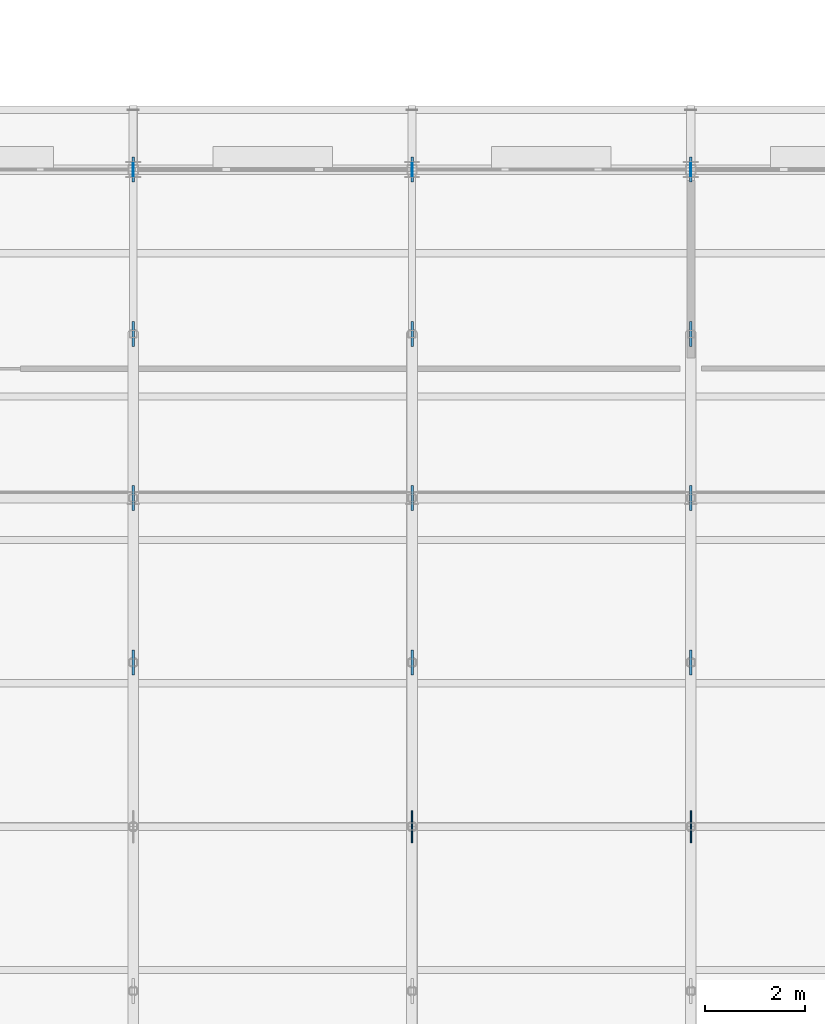
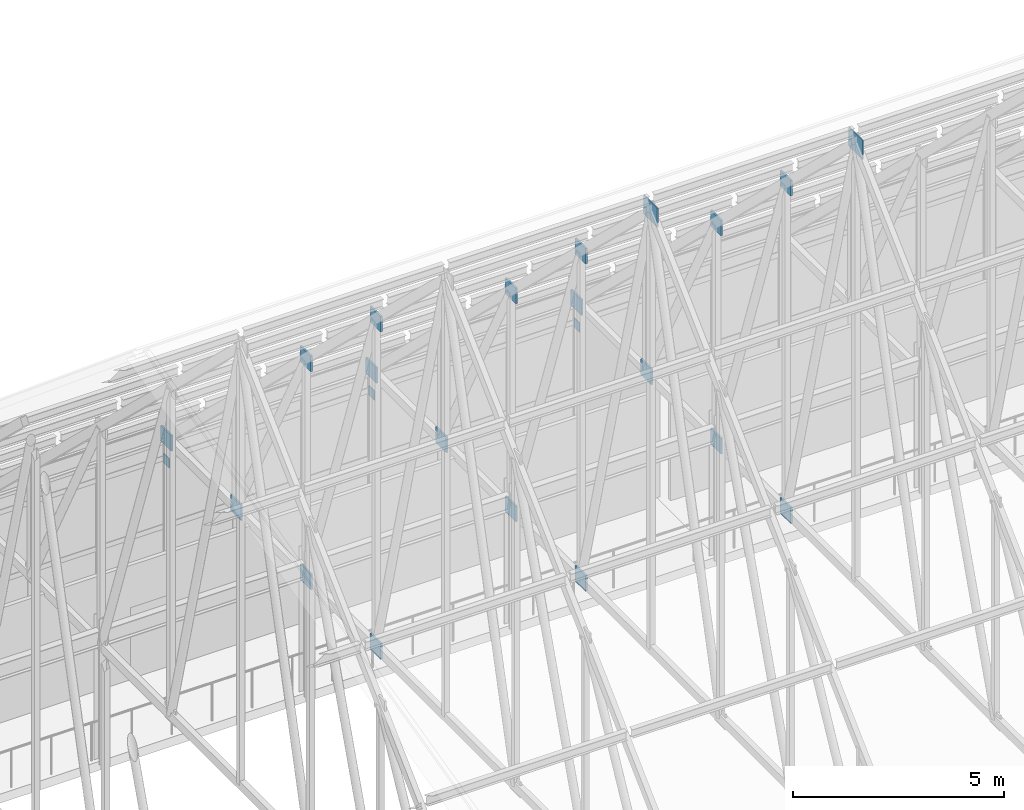
# One storey, part 106 of 144: 23 plates.
"""IFC4 building model written with IfcOpenShell, lengths in metres."""

import ifcopenshell
import ifcopenshell.guid

model = None  # the IFC model being written
_history = None  # IfcOwnerHistory: only IFC2X3 demands one
_inside = {}  # id of a spatial element -> (the spatial element, [elements in it])
_under = {}  # id of a project, library or spatial element -> (it, [spatial elements below it])
_declared = {}  # id of a project -> (the project, [libraries it declares])
_typed = {}  # id of a type object -> (the type object, [elements of that type])
_made_of = {}  # id of a material, layer set ... -> (it, [elements and type objects made of it])


def new_model(schema):
    """Start an empty IFC model of exactly this schema.

    Asked for "IFC4X3", IfcOpenShell would pick the latest addendum, in which some entities
    have other attributes; the version numbers below select the first issue.
    IFC2X3 requires an IfcOwnerHistory on every rooted entity: one is made here for all.
    """
    global model, _history
    if schema == "IFC4X3":
        model = ifcopenshell.file(schema_version=(4, 3, 0, 0))
    else:
        model = ifcopenshell.file(schema=schema)
    _inside.clear()
    _under.clear()
    _declared.clear()
    _typed.clear()
    _made_of.clear()
    _history = None
    if model.schema == "IFC2X3":
        org = make("IfcOrganization", Name="unknown")
        user = make(
            "IfcPersonAndOrganization",
            ThePerson=make("IfcPerson", FamilyName="unknown"),
            TheOrganization=org,
        )
        app = make(
            "IfcApplication",
            ApplicationDeveloper=org,
            Version="unknown",
            ApplicationFullName="unknown",
            ApplicationIdentifier="unknown",
        )
        _history = make(
            "IfcOwnerHistory",
            OwningUser=user,
            OwningApplication=app,
            ChangeAction="ADDED",
            CreationDate=0,
        )
    return model


def make(cls, **values):
    """One entity of the class cls with the attributes given. An attribute that is None is left unset."""
    return model.create_entity(
        cls, **{name: value for name, value in values.items() if value is not None}
    )


def rooted(cls, **values):
    """An entity with a GlobalId (a new one), such as an element, a storey or a relation."""
    return make(cls, GlobalId=ifcopenshell.guid.new(), OwnerHistory=_history, **values)


def si_unit(unit_type, name, prefix=None):
    """IfcSIUnit, for example si_unit("LENGTHUNIT", "METRE", prefix="MILLI")."""
    return make("IfcSIUnit", UnitType=unit_type, Prefix=prefix, Name=name)


def assignment(units):
    """IfcUnitAssignment: the units of a project."""
    return None if units is None else make("IfcUnitAssignment", Units=units)


def point(xyz):
    """IfcCartesianPoint."""
    return None if xyz is None else make("IfcCartesianPoint", Coordinates=xyz)


def direction(xyz):
    """IfcDirection."""
    return None if xyz is None else make("IfcDirection", DirectionRatios=xyz)


def frame(location, z_axis=None, x_axis=None):
    """IfcAxis2Placement3D, a coordinate frame: its origin and axes. An axis left out is left unset."""
    return make(
        "IfcAxis2Placement3D",
        Location=point(location),
        Axis=direction(z_axis),
        RefDirection=direction(x_axis),
    )


def frame_2d(location, x_axis=None):
    """IfcAxis2Placement2D, a coordinate frame in the plane: its origin and x axis."""
    return make(
        "IfcAxis2Placement2D", Location=point(location), RefDirection=direction(x_axis)
    )


def origin():
    """The frame at (0, 0, 0) with its axes left unset."""
    return frame((0.0, 0.0, 0.0))


def origin_2d():
    """The frame at (0, 0) in the plane with its x axis left unset."""
    return frame_2d((0.0, 0.0))


def place(relative_to, where):
    """IfcLocalPlacement: puts the frame where relative to a parent placement (None: the world)."""
    return make(
        "IfcLocalPlacement", PlacementRelTo=relative_to, RelativePlacement=where
    )


def context(
    kind, dimensions, precision=None, world=None, true_north=None, identifier=None
):
    """IfcGeometricRepresentationContext, for example the 3D "Model" context."""
    return make(
        "IfcGeometricRepresentationContext",
        ContextIdentifier=identifier,
        ContextType=kind,
        CoordinateSpaceDimension=dimensions,
        Precision=precision,
        WorldCoordinateSystem=world,
        TrueNorth=true_north,
    )


def subcontext(parent, identifier, kind, view, scale=None):
    """IfcGeometricRepresentationSubContext, for example "Body" below "Model"."""
    return make(
        "IfcGeometricRepresentationSubContext",
        ContextIdentifier=identifier,
        ContextType=kind,
        ParentContext=parent,
        TargetScale=scale,
        TargetView=view,
    )


def project(units=None, contexts=None):
    """IfcProject with its units and contexts."""
    return rooted(
        "IfcProject",
        Name="project",
        RepresentationContexts=contexts,
        UnitsInContext=assignment(units),
    )


def spatial(cls, under=None, at=None, **own):
    """A site, building, storey or space (cls), placed at a placement, below another one or the project."""
    s = rooted(cls, ObjectPlacement=at, **own)
    if under is not None:
        _under.setdefault(under.id(), (under, []))[1].append(s)
    return s


def profile(cls, at=None, kind="AREA", **sizes):
    """A parametric profile (cls). Its sizes go by their IFC names, for example OverallWidth=200.0."""
    return make(cls, ProfileType=kind, Position=at, **sizes)


def rectangle(**sizes):
    """IfcRectangleProfileDef."""
    return profile("IfcRectangleProfileDef", **sizes)


def extrude(swept, where, along, depth):
    """IfcExtrudedAreaSolid: the profile swept, set in the frame where, extruded along a direction by depth."""
    return make(
        "IfcExtrudedAreaSolid",
        SweptArea=swept,
        Position=where,
        ExtrudedDirection=direction(along),
        Depth=depth,
    )


def shape(context_of_items, identifier, shape_type, items):
    """IfcShapeRepresentation: the items that make up one representation, for example the "Body"."""
    return make(
        "IfcShapeRepresentation",
        ContextOfItems=context_of_items,
        RepresentationIdentifier=identifier,
        RepresentationType=shape_type,
        Items=items,
    )


def material(Name=None, Category=None):
    """IfcMaterial."""
    return make("IfcMaterial", Name=Name, Category=Category)


def layer(
    of_material, thickness, ventilated=None, Name=None, Category=None, Priority=None
):
    """IfcMaterialLayer: one layer of a wall or slab, of a material (None: an air gap)."""
    return make(
        "IfcMaterialLayer",
        Material=of_material,
        LayerThickness=thickness,
        IsVentilated=ventilated,
        Name=Name,
        Category=Category,
        Priority=Priority,
    )


def layer_set(layers, Name=None):
    """IfcMaterialLayerSet."""
    return make("IfcMaterialLayerSet", MaterialLayers=layers, LayerSetName=Name)


def made_of(thing, what):
    """Note that an element or type object is made of a material, layer set ...; save() writes the relation."""
    if what is not None:
        _made_of.setdefault(what.id(), (what, []))[1].append(thing)
    return thing


def type_object(cls, material=None, **own):
    """A type object (cls), such as IfcWallType, which elements share."""
    return made_of(rooted(cls, **own), material)


def element(
    cls,
    number,
    at=None,
    inside=None,
    cuts=None,
    type_object=None,
    material=None,
    context=None,
    identifier="Body",
    shape_type=None,
    held_by="IfcProductDefinitionShape",
    body=None,
    shapes=None,
    **own,
):
    """One element of the class cls, such as IfcWall. Its Tag is "e" and its number.

    at: its placement. inside: the storey or other place that contains it. cuts: it is an
    opening in that element (IfcRelVoidsElement). A single representation is given by context,
    identifier, shape_type and body (its items); several are given by shapes. held_by: the class
    of the entity that holds the representations. save() writes the other relations.
    """
    e = rooted(cls, Tag="e%d" % number, ObjectPlacement=at, **own)
    if body is not None:
        shapes = [shape(context, identifier, shape_type, body)]
    if shapes is not None:
        e.Representation = make(held_by, Representations=shapes)
    if inside is not None:
        _inside.setdefault(inside.id(), (inside, []))[1].append(e)
    if cuts is not None:
        rooted(
            "IfcRelVoidsElement", RelatingBuildingElement=cuts, RelatedOpeningElement=e
        )
    if type_object is not None:
        _typed.setdefault(type_object.id(), (type_object, []))[1].append(e)
    return made_of(e, material)


def aggregate(whole, parts):
    """IfcRelAggregates: a whole, such as a stair, and the parts it consists of."""
    return rooted("IfcRelAggregates", RelatingObject=whole, RelatedObjects=parts)


def save(model, path):
    """Write the relations noted so far, then the file.

    IfcRelAggregates (storeys below a building ...), IfcRelContainedInSpatialStructure (elements
    in a storey), IfcRelDefinesByType, IfcRelAssociatesMaterial and IfcRelDeclares: one each for
    every whole, place, type object, material and project.
    """
    for whole, parts in _under.values():
        aggregate(whole, parts)
    for where, things in _inside.values():
        rooted(
            "IfcRelContainedInSpatialStructure",
            RelatedElements=things,
            RelatingStructure=where,
        )
    for kind, things in _typed.values():
        rooted("IfcRelDefinesByType", RelatedObjects=things, RelatingType=kind)
    for what, things in _made_of.values():
        rooted("IfcRelAssociatesMaterial", RelatedObjects=things, RelatingMaterial=what)
    for by, libraries in _declared.values():
        rooted("IfcRelDeclares", RelatingContext=by, RelatedDefinitions=libraries)
    model.write(path)


model = new_model("IFC4")

# Units and contexts
model_context = context("Model", 3, precision=1e-05, world=origin(), true_north=direction((0.0, 1.0)))
body_context = subcontext(model_context, "Body", "Model", "MODEL_VIEW")
ifc_project = project(units=[si_unit("LENGTHUNIT", "METRE"), si_unit("AREAUNIT", "SQUARE_METRE"), si_unit("VOLUMEUNIT", "CUBIC_METRE"), si_unit("PLANEANGLEUNIT", "RADIAN"), si_unit("MASSUNIT", "GRAM", prefix="KILO")], contexts=[model_context])

# Site, building, storey
site_placement = place(None, origin())
site = spatial("IfcSite", under=ifc_project, at=site_placement, CompositionType="ELEMENT")
building_placement = place(site_placement, origin())
building = spatial("IfcBuilding", under=site, at=building_placement, Name="Trelmorton Wharf Fire Station", CompositionType="ELEMENT")
storey_placement = place(building_placement, frame((0.0, 0.0, 5.39990234375)))
storey = spatial("IfcBuildingStorey", under=building, at=storey_placement, Name="L01", CompositionType="ELEMENT", Elevation=5.39990234375)

# Plates
ifc_material = material(Name="Steel Grade 350", Category="steel")
ifc_layer_1 = layer(ifc_material, 0.02001953125)
ifc_layer_set_1 = layer_set([ifc_layer_1], Name="Steel Grade 350")
plate_type_1 = type_object("IfcPlateType", Name="PL_ENDCAP_20", PredefinedType="SHEET", material=ifc_layer_set_1)
for number, where, z_axis, x_axis, name in (
    (1, (17.60009765625, 34.199951171875, 2.56005859375), (0.0, 0.0, 1.0), (1.0, 0.0, 0.0), "PL-EC-0016"),
    (2, (23.199951171875, 34.199951171875, 2.56005859375), (0.0, 0.0, 1.0), (1.0, 0.0, 0.0), "PL-EC-0020"),
    (3, (28.800048828125, 34.199951171875, 2.56005859375), (0.0, 0.0, 1.0), (1.0, 0.0, 0.0), "PL-EC-0024"),
):
    element("IfcPlate", number, at=place(storey_placement, frame(where, z_axis=z_axis, x_axis=x_axis)), inside=storey, type_object=plate_type_1, Name=name, PredefinedType="SHEET", context=body_context, shape_type="SweptSolid", body=[
        extrude(rectangle(XDim=0.02001953125, YDim=0.260009765625, at=origin_2d()), origin(), (0.0, 0.0, 1.0), 0.280029296875),
    ])
ifc_layer_2 = layer(ifc_material, 0.030029296875)
ifc_layer_set_2 = layer_set([ifc_layer_2], Name="Steel Grade 350")
plate_type_2 = type_object("IfcPlateType", Name="PL_GUSSET_TN1", PredefinedType="USERDEFINED", material=ifc_layer_set_2)
for number, where, z_axis, x_axis, name in (
    (4, (23.199951171875, 21.0, 15.6767578125), (0.0, 0.0, 1.0), (1.0, 0.0, 0.0), "PL-TN-0159"),
    (5, (28.800048828125, 21.0, 15.6767578125), (0.0, 0.0, 1.0), (1.0, 0.0, 0.0), "PL-TN-0172"),
):
    element("IfcPlate", number, at=place(storey_placement, frame(where, z_axis=z_axis, x_axis=x_axis)), inside=storey, type_object=plate_type_2, Name=name, ObjectType="GUSSET PLATE", PredefinedType="USERDEFINED", context=body_context, shape_type="SweptSolid", body=[
        extrude(rectangle(XDim=0.030029296875, YDim=0.64990234375, at=origin_2d()), origin(), (0.0, 0.0, 1.0), 0.550048828125),
    ])
ifc_layer_3 = layer(ifc_material, 0.050048828125)
ifc_layer_set_3 = layer_set([ifc_layer_3], Name="Steel Grade 350")
plate_type_3 = type_object("IfcPlateType", Name="PL_GUSSET_TN2", PredefinedType="USERDEFINED", material=ifc_layer_set_3)
for number, where, z_axis, x_axis, name in (
    (6, (17.60009765625, 34.199951171875, 3.126953125), (0.0, 0.0, 1.0), (1.0, 0.0, 0.0), "PL-TN-0145"),
    (7, (17.60009765625, 30.89990234375, 3.126953125), (0.0, 0.0, 1.0), (1.0, 0.0, 0.0), "PL-TN-0152"),
    (8, (17.60009765625, 27.60009765625, 9.4267578125), (0.0, 0.0, 1.0), (1.0, 0.0, 0.0), "PL-TN-0153"),
    (9, (17.60009765625, 27.60009765625, 3.126953125), (0.0, 0.0, 1.0), (1.0, 0.0, 0.0), "PL-TN-0154"),
    (10, (17.60009765625, 24.300048828125, 12.5771484375), (0.0, 0.0, 1.0), (1.0, 0.0, 0.0), "PL-TN-0155"),
    (11, (17.60009765625, 24.300048828125, 3.126953125), (0.0, 0.0, 1.0), (1.0, 0.0, 0.0), "PL-TN-0156"),
    (12, (23.199951171875, 34.199951171875, 3.126953125), (0.0, 0.0, 1.0), (1.0, 0.0, 0.0), "PL-TN-0158"),
    (13, (23.199951171875, 30.89990234375, 3.126953125), (0.0, 0.0, 1.0), (1.0, 0.0, 0.0), "PL-TN-0165"),
    (14, (23.199951171875, 27.60009765625, 9.4267578125), (0.0, 0.0, 1.0), (1.0, 0.0, 0.0), "PL-TN-0166"),
    (15, (23.199951171875, 27.60009765625, 3.126953125), (0.0, 0.0, 1.0), (1.0, 0.0, 0.0), "PL-TN-0167"),
    (16, (23.199951171875, 24.300048828125, 12.5771484375), (0.0, 0.0, 1.0), (1.0, 0.0, 0.0), "PL-TN-0168"),
    (17, (23.199951171875, 24.300048828125, 3.126953125), (0.0, 0.0, 1.0), (1.0, 0.0, 0.0), "PL-TN-0169"),
    (18, (28.800048828125, 34.199951171875, 3.126953125), (0.0, 0.0, 1.0), (1.0, 0.0, 0.0), "PL-TN-0171"),
    (19, (28.800048828125, 30.89990234375, 3.126953125), (0.0, 0.0, 1.0), (1.0, 0.0, 0.0), "PL-TN-0178"),
    (20, (28.800048828125, 27.60009765625, 9.4267578125), (0.0, 0.0, 1.0), (1.0, 0.0, 0.0), "PL-TN-0179"),
    (21, (28.800048828125, 27.60009765625, 3.126953125), (0.0, 0.0, 1.0), (1.0, 0.0, 0.0), "PL-TN-0180"),
    (22, (28.800048828125, 24.300048828125, 12.5771484375), (0.0, 0.0, 1.0), (1.0, 0.0, 0.0), "PL-TN-0181"),
    (23, (28.800048828125, 24.300048828125, 3.126953125), (0.0, 0.0, 1.0), (1.0, 0.0, 0.0), "PL-TN-0182"),
):
    element("IfcPlate", number, at=place(storey_placement, frame(where, z_axis=z_axis, x_axis=x_axis)), inside=storey, type_object=plate_type_3, Name=name, ObjectType="GUSSET PLATE", PredefinedType="USERDEFINED", context=body_context, shape_type="SweptSolid", body=[
        extrude(rectangle(XDim=0.050048828125, YDim=0.5, at=origin_2d()), origin(), (0.0, 0.0, 1.0), 0.449951171875),
    ])

save(model, "model.ifc")
